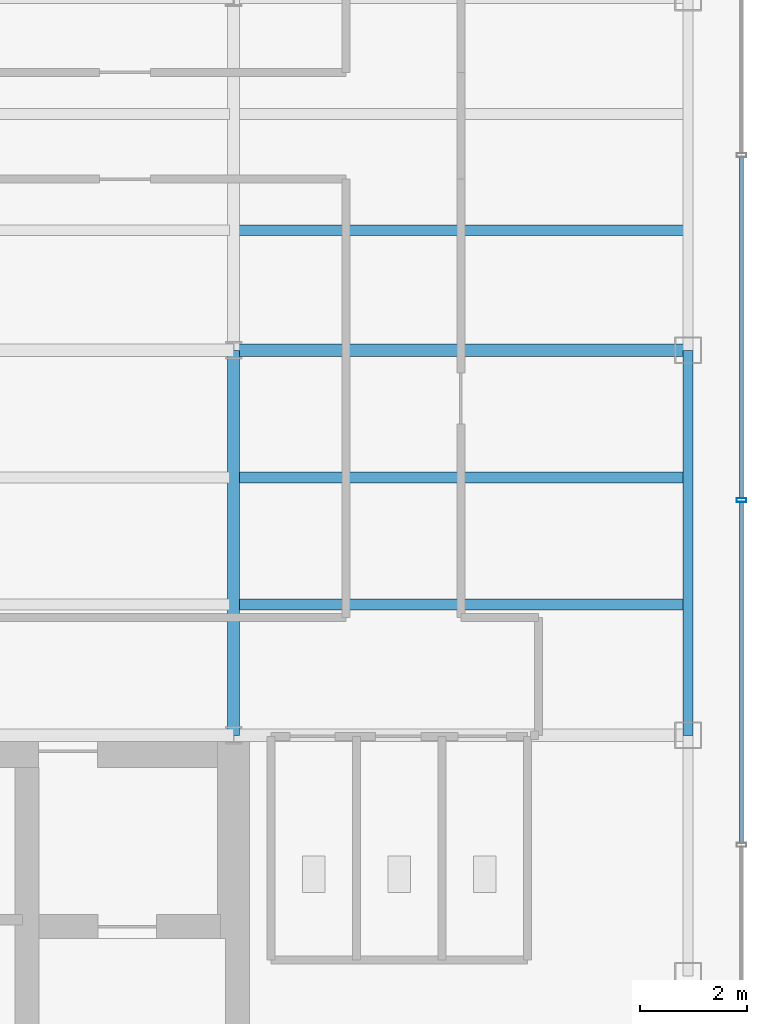
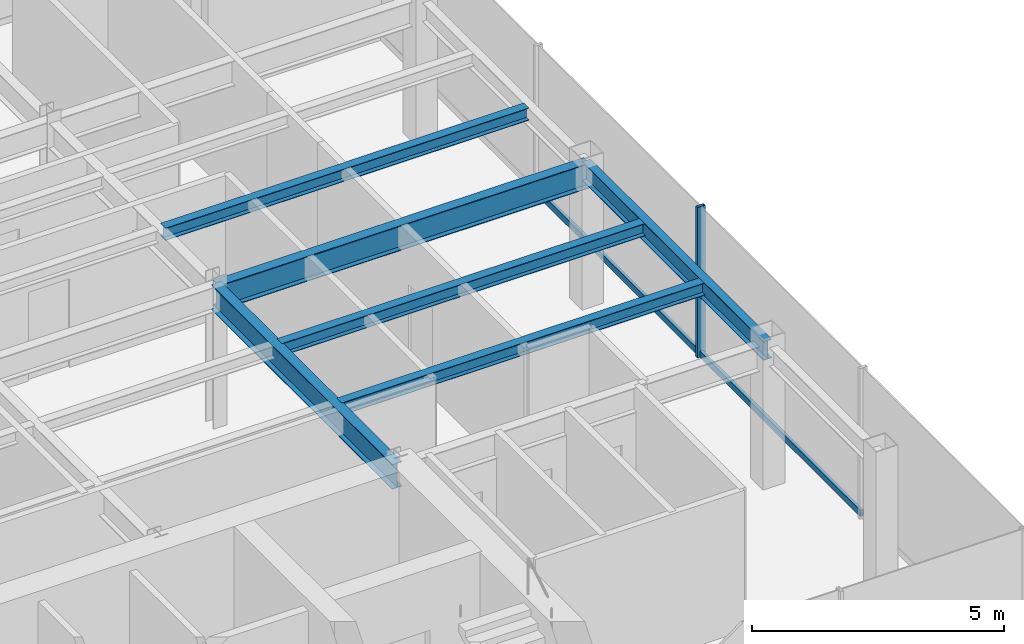
# One storey, part 10 of 22: 6 beams, 3 members, 1 element without a shape of its own.
"""IFC4 building model written with IfcOpenShell, lengths in metres."""

from ifc_helpers import new_model, si_unit, derived_unit, direction, frame, origin, origin_2d, place, context, subcontext, project, spatial, hollow_rectangle, i_section, extrude, source, transform, mapped, material, material_profile, profile_set, type_object, element, aggregate, save


model = new_model("IFC4")

# Units and contexts
model_context = context("Model", 3, precision=1e-05, world=origin(), true_north=direction((0.0, 1.0)))
body_context = subcontext(model_context, "Body", "Model", "MODEL_VIEW")
ifc_project = project(units=[si_unit("LENGTHUNIT", "METRE"), si_unit("AREAUNIT", "SQUARE_METRE"), si_unit("VOLUMEUNIT", "CUBIC_METRE"), si_unit("PLANEANGLEUNIT", "RADIAN"), si_unit("MASSUNIT", "GRAM", prefix="KILO"), derived_unit("THERMALTRANSMITTANCEUNIT", [(si_unit("POWERUNIT", "WATT"), 1), (si_unit("LENGTHUNIT", "METRE"), -2), (si_unit("THERMODYNAMICTEMPERATUREUNIT", "KELVIN"), -1)])], contexts=[model_context])

# Site, building, storey
site_placement = place(None, origin())
site = spatial("IfcSite", under=ifc_project, at=site_placement, CompositionType="ELEMENT")
building_placement = place(site_placement, origin())
building = spatial("IfcBuilding", under=site, at=building_placement, Name="Skarnbrae Concourse Arena and Tower", CompositionType="ELEMENT")
storey_placement = place(building_placement, frame((0.0, 0.0, 280.699951171875)))
storey = spatial("IfcBuildingStorey", under=building, at=storey_placement, Name="L73", CompositionType="ELEMENT", Elevation=280.699951171875)

# Beams
ifc_material_1 = material(Name="Steel CSA G40.21 350W", Category="steel")
ifc_material_profile_1 = material_profile(ifc_material_1, i_section(OverallWidth=0.22802734375, OverallDepth=0.60791015625, WebThickness=0.01123046875, FlangeThickness=0.017333984375, at=origin_2d()), Name="W610X113")
ifc_profile_set_1 = profile_set([ifc_material_profile_1], Name="Steel CSA G40.21 350W")
beam_type_1 = type_object("IfcBeamType", Name="BM-GIRD-W610X113", PredefinedType="BEAM", material=ifc_profile_set_1)
shared_shape_1 = source(origin(), body_context, "Body", "SweptSolid", [
    extrude(i_section(OverallWidth=0.22802734375, OverallDepth=0.60791015625, WebThickness=0.01123046875, FlangeThickness=0.017333984375, at=origin_2d()), origin(), (0.0, 0.0, 1.0), 8.5),
])
beam_1_placement = place(storey_placement, frame((33.5, 21.199951171875, 3.095947265625), z_axis=(1.0, 0.0, 0.0), x_axis=(0.0, 1.0, 0.0)))
element("IfcBeam", 1, at=beam_1_placement, inside=storey, type_object=beam_type_1, Name="L73 Primary E-W girder Y21.2-6", PredefinedType="BEAM", context=body_context, shape_type="MappedRepresentation", body=[
    mapped(shared_shape_1, transform((0.0, 0.0, 0.0))),
])
ifc_material_profile_2 = material_profile(ifc_material_1, i_section(OverallWidth=0.19091796875, OverallDepth=0.4599609375, WebThickness=0.010009765625, FlangeThickness=0.01611328125, at=origin_2d()), Name="W460X82")
ifc_profile_set_2 = profile_set([ifc_material_profile_2], Name="Steel CSA G40.21 350W")
beam_type_2 = type_object("IfcBeamType", Name="BM-SPAN-W460X82", PredefinedType="SPANDREL", material=ifc_profile_set_2)
shared_shape_2 = source(origin(), body_context, "Body", "SweptSolid", [
    extrude(i_section(OverallWidth=0.19091796875, OverallDepth=0.4599609375, WebThickness=0.010009765625, FlangeThickness=0.01611328125, at=origin_2d()), origin(), (0.0, 0.0, 1.0), 7.199951171875),
])
beam_2_placement = place(storey_placement, frame((42.0, 14.0, 3.170166015625), z_axis=(0.0, 1.0, 0.0), x_axis=(-1.0, 0.0, 0.0)))
element("IfcBeam", 2, at=beam_2_placement, inside=storey, type_object=beam_type_2, Name="L73 Perimeter spandrel X42.0-2", PredefinedType="SPANDREL", context=body_context, shape_type="MappedRepresentation", body=[
    mapped(shared_shape_2, transform((0.0, 0.0, 0.0))),
])
shared_shape_3 = source(origin(), body_context, "Body", "SweptSolid", [
    extrude(i_section(OverallWidth=0.22802734375, OverallDepth=0.60791015625, WebThickness=0.01123046875, FlangeThickness=0.017333984375, at=origin_2d()), origin(), (0.0, 0.0, 1.0), 7.199951171875),
])
beam_3_placement = place(storey_placement, frame((33.5, 14.0, 3.095947265625), z_axis=(0.0, 1.0, 0.0), x_axis=(-1.0, 0.0, 0.0)))
element("IfcBeam", 3, at=beam_3_placement, inside=storey, type_object=beam_type_1, Name="L73 Primary N-S girder X33.5-1", PredefinedType="BEAM", context=body_context, shape_type="MappedRepresentation", body=[
    mapped(shared_shape_3, transform((0.0, 0.0, 0.0))),
])
ifc_material_profile_3 = material_profile(ifc_material_1, i_section(OverallWidth=0.202880859375, OverallDepth=0.302978515625, WebThickness=0.007568359375, FlangeThickness=0.01318359375, at=origin_2d()), Name="W310X60")
ifc_profile_set_3 = profile_set([ifc_material_profile_3], Name="Steel CSA G40.21 350W")
beam_type_3 = type_object("IfcBeamType", Name="BM-JOIST-W310X60", PredefinedType="JOIST", material=ifc_profile_set_3)
shared_shape_4 = source(origin(), body_context, "Body", "SweptSolid", [
    extrude(i_section(OverallWidth=0.202880859375, OverallDepth=0.302978515625, WebThickness=0.007568359375, FlangeThickness=0.01318359375, at=origin_2d()), origin(), (0.0, 0.0, 1.0), 8.33984375),
])
for number, where, z_axis, x_axis, name in (
    (4, (33.580078125, 16.447998046875, 3.24853515625), (1.0, 0.0, 0.0), (0.0, 1.0, 0.0), "L73 Secondary floor joist 1.1.6"),
    (5, (33.580078125, 18.823974609375, 3.24853515625), (1.0, 0.0, 0.0), (0.0, 1.0, 0.0), "L73 Secondary floor joist 1.2.6"),
    (6, (33.580078125, 23.444091796875, 3.24853515625), (1.0, 0.0, 0.0), (0.0, 1.0, 0.0), "L73 Secondary floor joist 2.1.6"),
):
    element("IfcBeam", number, at=place(storey_placement, frame(where, z_axis=z_axis, x_axis=x_axis)), inside=storey, type_object=beam_type_3, Name=name, PredefinedType="JOIST", context=body_context, shape_type="MappedRepresentation", body=[
        mapped(shared_shape_4, transform((0.0, 0.0, 0.0))),
    ])

# Curtain wall, members
ifc_material_2 = material(Name="Bronze anodised aluminium 6063-T6", Category="aluminium")
curtain_wall_type = type_object("IfcCurtainWallType", Name="CW-SYS-05-HIGHZONE", PredefinedType="USERDEFINED", material=ifc_material_2)
curtain_wall_placement = place(storey_placement, origin())
curtain_wall = element("IfcCurtainWall", 7, at=curtain_wall_placement, inside=storey, type_object=curtain_wall_type, Name="L73 Unitised curtain wall CW-L73-E04", ObjectType="UNITISED CURTAIN WALL", PredefinedType="USERDEFINED")
ifc_material_profile_4 = material_profile(ifc_material_2, hollow_rectangle(XDim=0.074951171875, YDim=0.14990234375, WallThickness=0.00390625, at=origin_2d()), Name="ALU-TRAN-75X150")
ifc_profile_set_4 = profile_set([ifc_material_profile_4], Name="Bronze anodised aluminium 6063-T6")
member_type_1 = type_object("IfcMemberType", Name="CWT-CW-05", PredefinedType="USERDEFINED", material=ifc_profile_set_4)
shared_shape_5 = source(origin(), body_context, "Body", "SweptSolid", [
    extrude(hollow_rectangle(XDim=0.074951171875, YDim=0.14990234375, WallThickness=0.00390625, at=origin_2d()), origin(), (0.0, 0.0, 1.0), 6.375),
])
member_1_placement = place(storey_placement, frame((43.0, 11.987548828125, 0.074951171875), z_axis=(0.0, 1.0, 0.0), x_axis=(-1.0, 0.0, 0.0)))
member_1 = element("IfcMember", 8, at=member_1_placement, type_object=member_type_1, Name="CW-L73-E04 Transom 2", ObjectType="TRANSOM", PredefinedType="USERDEFINED", context=body_context, shape_type="MappedRepresentation", body=[
    mapped(shared_shape_5, transform((0.0, 0.0, 0.0))),
])
member_2_placement = place(storey_placement, frame((43.0, 18.4375, 0.074951171875), z_axis=(0.0, 1.0, 0.0), x_axis=(-1.0, 0.0, 0.0)))
member_2 = element("IfcMember", 9, at=member_2_placement, type_object=member_type_1, Name="CW-L73-E04 Transom 3", ObjectType="TRANSOM", PredefinedType="USERDEFINED", context=body_context, shape_type="MappedRepresentation", body=[
    mapped(shared_shape_5, transform((0.0, 0.0, 0.0))),
])
ifc_material_profile_5 = material_profile(ifc_material_2, hollow_rectangle(XDim=0.074951171875, YDim=0.179931640625, WallThickness=0.00390625, at=origin_2d()), Name="ALU-MULL-75X180")
ifc_profile_set_5 = profile_set([ifc_material_profile_5], Name="Bronze anodised aluminium 6063-T6")
member_type_2 = type_object("IfcMemberType", Name="CWM-CW-05", PredefinedType="MULLION", material=ifc_profile_set_5)
shared_shape_6 = source(origin(), body_context, "Body", "SweptSolid", [
    extrude(hollow_rectangle(XDim=0.074951171875, YDim=0.179931640625, WallThickness=0.00390625, at=origin_2d()), origin(), (0.0, 0.0, 1.0), 3.650146484375),
])
member_3_placement = place(storey_placement, frame((43.0, 18.39990234375, 0.0), z_axis=(0.0, 0.0, 1.0), x_axis=(0.0, 1.0, 0.0)))
member_3 = element("IfcMember", 10, at=member_3_placement, type_object=member_type_2, Name="CW-L73-E04 Mullion 3", PredefinedType="MULLION", context=body_context, shape_type="MappedRepresentation", body=[
    mapped(shared_shape_6, transform((0.0, 0.0, 0.0))),
])
aggregate(curtain_wall, [member_3, member_1, member_2])

save(model, "model.ifc")
